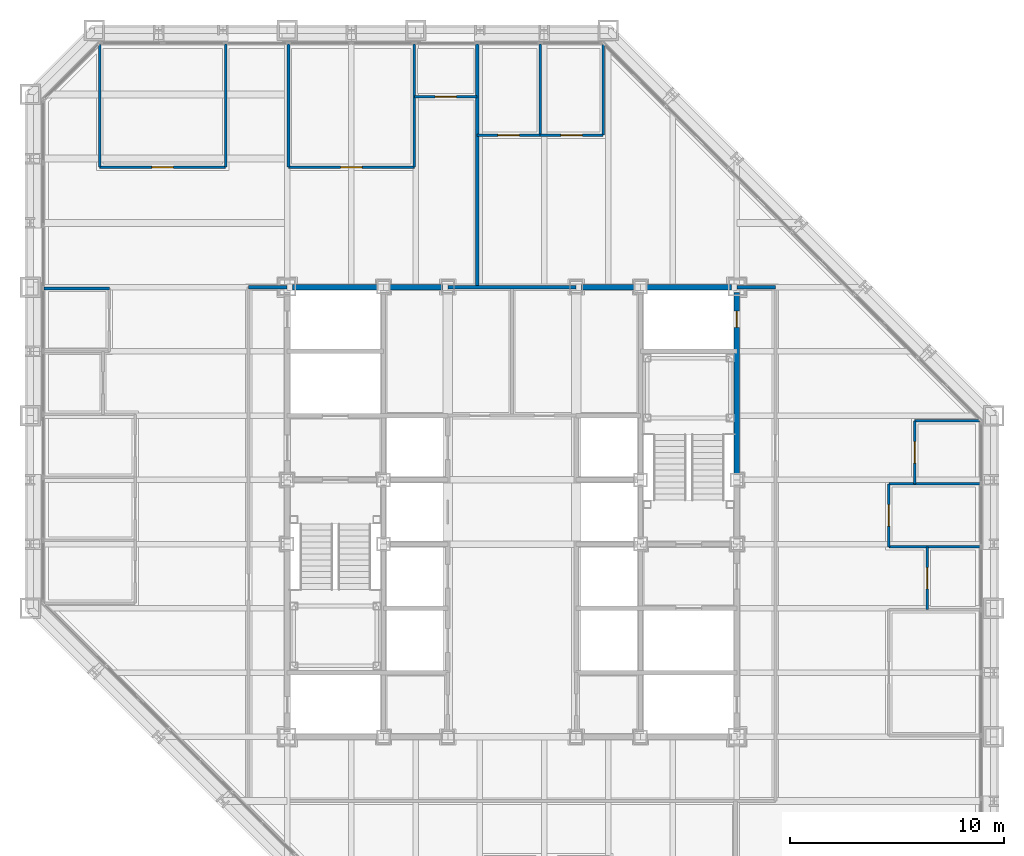
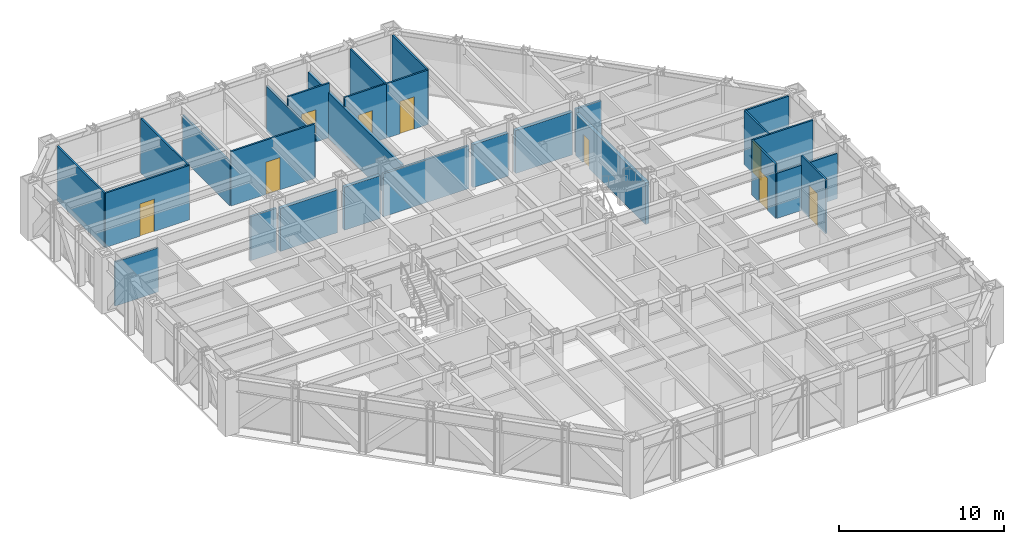
# One storey, part 12 of 16: 27 walls, 9 doors, 9 openings.
"""IFC4 building model written with IfcOpenShell, lengths in metres."""

import ifcopenshell
import ifcopenshell.guid

model = None  # the IFC model being written
_history = None  # IfcOwnerHistory: only IFC2X3 demands one
_inside = {}  # id of a spatial element -> (the spatial element, [elements in it])
_under = {}  # id of a project, library or spatial element -> (it, [spatial elements below it])
_declared = {}  # id of a project -> (the project, [libraries it declares])
_typed = {}  # id of a type object -> (the type object, [elements of that type])
_made_of = {}  # id of a material, layer set ... -> (it, [elements and type objects made of it])


def new_model(schema):
    """Start an empty IFC model of exactly this schema.

    Asked for "IFC4X3", IfcOpenShell would pick the latest addendum, in which some entities
    have other attributes; the version numbers below select the first issue.
    IFC2X3 requires an IfcOwnerHistory on every rooted entity: one is made here for all.
    """
    global model, _history
    if schema == "IFC4X3":
        model = ifcopenshell.file(schema_version=(4, 3, 0, 0))
    else:
        model = ifcopenshell.file(schema=schema)
    _inside.clear()
    _under.clear()
    _declared.clear()
    _typed.clear()
    _made_of.clear()
    _history = None
    if model.schema == "IFC2X3":
        org = make("IfcOrganization", Name="unknown")
        user = make(
            "IfcPersonAndOrganization",
            ThePerson=make("IfcPerson", FamilyName="unknown"),
            TheOrganization=org,
        )
        app = make(
            "IfcApplication",
            ApplicationDeveloper=org,
            Version="unknown",
            ApplicationFullName="unknown",
            ApplicationIdentifier="unknown",
        )
        _history = make(
            "IfcOwnerHistory",
            OwningUser=user,
            OwningApplication=app,
            ChangeAction="ADDED",
            CreationDate=0,
        )
    return model


def make(cls, **values):
    """One entity of the class cls with the attributes given. An attribute that is None is left unset."""
    return model.create_entity(
        cls, **{name: value for name, value in values.items() if value is not None}
    )


def rooted(cls, **values):
    """An entity with a GlobalId (a new one), such as an element, a storey or a relation."""
    return make(cls, GlobalId=ifcopenshell.guid.new(), OwnerHistory=_history, **values)


def si_unit(unit_type, name, prefix=None):
    """IfcSIUnit, for example si_unit("LENGTHUNIT", "METRE", prefix="MILLI")."""
    return make("IfcSIUnit", UnitType=unit_type, Prefix=prefix, Name=name)


def assignment(units):
    """IfcUnitAssignment: the units of a project."""
    return None if units is None else make("IfcUnitAssignment", Units=units)


def point(xyz):
    """IfcCartesianPoint."""
    return None if xyz is None else make("IfcCartesianPoint", Coordinates=xyz)


def direction(xyz):
    """IfcDirection."""
    return None if xyz is None else make("IfcDirection", DirectionRatios=xyz)


def frame(location, z_axis=None, x_axis=None):
    """IfcAxis2Placement3D, a coordinate frame: its origin and axes. An axis left out is left unset."""
    return make(
        "IfcAxis2Placement3D",
        Location=point(location),
        Axis=direction(z_axis),
        RefDirection=direction(x_axis),
    )


def frame_2d(location, x_axis=None):
    """IfcAxis2Placement2D, a coordinate frame in the plane: its origin and x axis."""
    return make(
        "IfcAxis2Placement2D", Location=point(location), RefDirection=direction(x_axis)
    )


def origin():
    """The frame at (0, 0, 0) with its axes left unset."""
    return frame((0.0, 0.0, 0.0))


def place(relative_to, where):
    """IfcLocalPlacement: puts the frame where relative to a parent placement (None: the world)."""
    return make(
        "IfcLocalPlacement", PlacementRelTo=relative_to, RelativePlacement=where
    )


def context(
    kind, dimensions, precision=None, world=None, true_north=None, identifier=None
):
    """IfcGeometricRepresentationContext, for example the 3D "Model" context."""
    return make(
        "IfcGeometricRepresentationContext",
        ContextIdentifier=identifier,
        ContextType=kind,
        CoordinateSpaceDimension=dimensions,
        Precision=precision,
        WorldCoordinateSystem=world,
        TrueNorth=true_north,
    )


def subcontext(parent, identifier, kind, view, scale=None):
    """IfcGeometricRepresentationSubContext, for example "Body" below "Model"."""
    return make(
        "IfcGeometricRepresentationSubContext",
        ContextIdentifier=identifier,
        ContextType=kind,
        ParentContext=parent,
        TargetScale=scale,
        TargetView=view,
    )


def project(units=None, contexts=None):
    """IfcProject with its units and contexts."""
    return rooted(
        "IfcProject",
        Name="project",
        RepresentationContexts=contexts,
        UnitsInContext=assignment(units),
    )


def spatial(cls, under=None, at=None, **own):
    """A site, building, storey or space (cls), placed at a placement, below another one or the project."""
    s = rooted(cls, ObjectPlacement=at, **own)
    if under is not None:
        _under.setdefault(under.id(), (under, []))[1].append(s)
    return s


def profile(cls, at=None, kind="AREA", **sizes):
    """A parametric profile (cls). Its sizes go by their IFC names, for example OverallWidth=200.0."""
    return make(cls, ProfileType=kind, Position=at, **sizes)


def rectangle(**sizes):
    """IfcRectangleProfileDef."""
    return profile("IfcRectangleProfileDef", **sizes)


def extrude(swept, where, along, depth):
    """IfcExtrudedAreaSolid: the profile swept, set in the frame where, extruded along a direction by depth."""
    return make(
        "IfcExtrudedAreaSolid",
        SweptArea=swept,
        Position=where,
        ExtrudedDirection=direction(along),
        Depth=depth,
    )


def shape(context_of_items, identifier, shape_type, items):
    """IfcShapeRepresentation: the items that make up one representation, for example the "Body"."""
    return make(
        "IfcShapeRepresentation",
        ContextOfItems=context_of_items,
        RepresentationIdentifier=identifier,
        RepresentationType=shape_type,
        Items=items,
    )


def material(Name=None, Category=None):
    """IfcMaterial."""
    return make("IfcMaterial", Name=Name, Category=Category)


def layer(
    of_material, thickness, ventilated=None, Name=None, Category=None, Priority=None
):
    """IfcMaterialLayer: one layer of a wall or slab, of a material (None: an air gap)."""
    return make(
        "IfcMaterialLayer",
        Material=of_material,
        LayerThickness=thickness,
        IsVentilated=ventilated,
        Name=Name,
        Category=Category,
        Priority=Priority,
    )


def layer_set(layers, Name=None):
    """IfcMaterialLayerSet."""
    return make("IfcMaterialLayerSet", MaterialLayers=layers, LayerSetName=Name)


def made_of(thing, what):
    """Note that an element or type object is made of a material, layer set ...; save() writes the relation."""
    if what is not None:
        _made_of.setdefault(what.id(), (what, []))[1].append(thing)
    return thing


def type_object(cls, material=None, **own):
    """A type object (cls), such as IfcWallType, which elements share."""
    return made_of(rooted(cls, **own), material)


def element(
    cls,
    number,
    at=None,
    inside=None,
    cuts=None,
    type_object=None,
    material=None,
    context=None,
    identifier="Body",
    shape_type=None,
    held_by="IfcProductDefinitionShape",
    body=None,
    shapes=None,
    **own,
):
    """One element of the class cls, such as IfcWall. Its Tag is "e" and its number.

    at: its placement. inside: the storey or other place that contains it. cuts: it is an
    opening in that element (IfcRelVoidsElement). A single representation is given by context,
    identifier, shape_type and body (its items); several are given by shapes. held_by: the class
    of the entity that holds the representations. save() writes the other relations.
    """
    e = rooted(cls, Tag="e%d" % number, ObjectPlacement=at, **own)
    if body is not None:
        shapes = [shape(context, identifier, shape_type, body)]
    if shapes is not None:
        e.Representation = make(held_by, Representations=shapes)
    if inside is not None:
        _inside.setdefault(inside.id(), (inside, []))[1].append(e)
    if cuts is not None:
        rooted(
            "IfcRelVoidsElement", RelatingBuildingElement=cuts, RelatedOpeningElement=e
        )
    if type_object is not None:
        _typed.setdefault(type_object.id(), (type_object, []))[1].append(e)
    return made_of(e, material)


def fill(opening, filler):
    """IfcRelFillsElement: the door or window that sits in an opening."""
    return rooted(
        "IfcRelFillsElement",
        RelatingOpeningElement=opening,
        RelatedBuildingElement=filler,
    )


def aggregate(whole, parts):
    """IfcRelAggregates: a whole, such as a stair, and the parts it consists of."""
    return rooted("IfcRelAggregates", RelatingObject=whole, RelatedObjects=parts)


def save(model, path):
    """Write the relations noted so far, then the file.

    IfcRelAggregates (storeys below a building ...), IfcRelContainedInSpatialStructure (elements
    in a storey), IfcRelDefinesByType, IfcRelAssociatesMaterial and IfcRelDeclares: one each for
    every whole, place, type object, material and project.
    """
    for whole, parts in _under.values():
        aggregate(whole, parts)
    for where, things in _inside.values():
        rooted(
            "IfcRelContainedInSpatialStructure",
            RelatedElements=things,
            RelatingStructure=where,
        )
    for kind, things in _typed.values():
        rooted("IfcRelDefinesByType", RelatedObjects=things, RelatingType=kind)
    for what, things in _made_of.values():
        rooted("IfcRelAssociatesMaterial", RelatedObjects=things, RelatingMaterial=what)
    for by, libraries in _declared.values():
        rooted("IfcRelDeclares", RelatingContext=by, RelatedDefinitions=libraries)
    model.write(path)


model = new_model("IFC4")

# Units and contexts
model_context = context("Model", 3, precision=1e-05, world=origin(), true_north=direction((0.0, 1.0)))
body_context = subcontext(model_context, "Body", "Model", "MODEL_VIEW")
ifc_project = project(units=[si_unit("LENGTHUNIT", "METRE"), si_unit("AREAUNIT", "SQUARE_METRE"), si_unit("VOLUMEUNIT", "CUBIC_METRE"), si_unit("PLANEANGLEUNIT", "RADIAN"), si_unit("MASSUNIT", "GRAM", prefix="KILO")], contexts=[model_context])

# Site, building, storey
site_placement = place(None, origin())
site = spatial("IfcSite", under=ifc_project, at=site_placement, CompositionType="ELEMENT")
building_placement = place(site_placement, origin())
building = spatial("IfcBuilding", under=site, at=building_placement, Name="Chuquiago Exchange Tower", CompositionType="ELEMENT")
storey_placement = place(building_placement, frame((0.0, 0.0, 157.199951171875)))
storey = spatial("IfcBuildingStorey", under=building, at=storey_placement, Name="L34", CompositionType="ELEMENT", Elevation=157.199951171875)

# Walls
ifc_material_1 = material(Name="Concrete masonry, fully grouted", Category="masonry")
ifc_layer_1 = layer(ifc_material_1, 0.25)
ifc_layer_set_1 = layer_set([ifc_layer_1], Name="W1 core wall 250")
wall_type_1 = type_object("IfcWallType", Name="W1 core wall 250", PredefinedType="SOLIDWALL", material=ifc_layer_set_1)
wall_1_placement = place(storey_placement, frame((12.25, 33.0, 0.0), z_axis=(0.0, 0.0, 1.0), x_axis=(1.0, 0.0, 0.0)))
element("IfcWall", 1, at=wall_1_placement, inside=storey, type_object=wall_type_1, Name="CW-L34-11-0", PredefinedType="SOLIDWALL", context=body_context, shape_type="SweptSolid", body=[
    extrude(rectangle(XDim=4.0, YDim=0.25, at=frame_2d((2.0, 0.0))), origin(), (0.0, 0.0, 1.0), 3.181640625),
])
for number, where, z_axis, x_axis, name in (
    (2, (16.75, 33.0, 0.0), (0.0, 0.0, 1.0), (1.0, 0.0, 0.0), "CW-L34-11-1"),
    (3, (25.75, 33.0, 0.0), (0.0, 0.0, 1.0), (1.0, 0.0, 0.0), "CW-L34-12-0"),
):
    element("IfcWall", number, at=place(storey_placement, frame(where, z_axis=z_axis, x_axis=x_axis)), inside=storey, type_object=wall_type_1, Name=name, PredefinedType="SOLIDWALL", context=body_context, shape_type="SweptSolid", body=[
        extrude(rectangle(XDim=2.5, YDim=0.25, at=frame_2d((1.25, 0.0))), origin(), (0.0, 0.0, 1.0), 3.181640625),
    ])
wall_2_placement = place(storey_placement, frame((28.75, 33.0, 0.0), z_axis=(0.0, 0.0, 1.0), x_axis=(1.0, 0.0, 0.0)))
element("IfcWall", 4, at=wall_2_placement, inside=storey, type_object=wall_type_1, Name="CW-L34-12-1", PredefinedType="SOLIDWALL", context=body_context, shape_type="SweptSolid", body=[
    extrude(rectangle(XDim=4.0, YDim=0.25, at=frame_2d((2.0, 0.0))), origin(), (0.0, 0.0, 1.0), 3.181640625),
])

# Wall, opening, door
wall_3_placement = place(storey_placement, frame((33.0, 24.25, 0.0), z_axis=(0.0, 0.0, 1.0), x_axis=(0.0, 1.0, 0.0)))
wall_3 = element("IfcWall", 5, at=wall_3_placement, inside=storey, type_object=wall_type_1, Name="CW-L34-25-2", PredefinedType="SOLIDWALL", context=body_context, shape_type="SweptSolid", body=[
    extrude(rectangle(XDim=8.5, YDim=0.25, at=frame_2d((4.25, 0.0))), origin(), (0.0, 0.0, 1.0), 3.113037109375),
])
opening_1_placement = place(wall_3_placement, frame((6.875, 0.0, 0.0)))
opening_1 = element("IfcOpeningElement", 6, at=opening_1_placement, cuts=wall_3, Name="Opening L34-010", PredefinedType="OPENING", context=body_context, shape_type="SweptSolid", body=[
    extrude(rectangle(XDim=0.75, YDim=2.10009765625, at=frame_2d((0.375, 1.050048828125))), frame((0.0, 0.135009765625, 0.0), z_axis=(0.0, -1.0, 0.0), x_axis=(1.0, 0.0, 0.0)), (0.0, 0.0, 1.0), 0.27001953125),
])
ifc_material_2 = material(Name="Steel door, painted", Category="steel")
door_type_1 = type_object("IfcDoorType", Name="D6 riser access door 750x2100", OperationType="SINGLE_SWING_LEFT", PredefinedType="DOOR", material=ifc_material_2)
door_1_placement = place(opening_1_placement, origin())
door_1 = element("IfcDoor", 7, at=door_1_placement, inside=storey, type_object=door_type_1, Name="Riser RE2 door", OperationType="SINGLE_SWING_RIGHT", OverallHeight=2.10009765625, OverallWidth=0.75, PredefinedType="DOOR", context=body_context, shape_type="SweptSolid", body=[
    extrude(rectangle(XDim=0.75, YDim=2.10009765625, at=frame_2d((0.375, 1.050048828125))), frame((0.0, 0.02490234375, 0.0), z_axis=(0.0, -1.0, 0.0), x_axis=(1.0, 0.0, 0.0)), (0.0, 0.0, 1.0), 0.050048828125),
])
fill(opening_1, door_1)

# Walls
ifc_material_3 = material(Name="Gypsum board on steel studs, acoustic insulation", Category="steel")
ifc_layer_2 = layer(ifc_material_3, 0.14990234375)
ifc_layer_set_2 = layer_set([ifc_layer_2], Name="W11 corridor wall 150")
wall_type_2 = type_object("IfcWallType", Name="W11 corridor wall 150", PredefinedType="PARTITIONING", material=ifc_layer_set_2)
for number, where, z_axis, x_axis, name in (
    (8, (10.199951171875, 33.0, 0.0), (0.0, 0.0, 1.0), (1.0, 0.0, 0.0), "PW-L34-CWN"),
    (9, (33.0, 33.0, 0.0), (0.0, 0.0, 1.0), (1.0, 0.0, 0.0), "PW-L34-CEN"),
):
    element("IfcWall", number, at=place(storey_placement, frame(where, z_axis=z_axis, x_axis=x_axis)), inside=storey, type_object=wall_type_2, Name=name, PredefinedType="PARTITIONING", context=body_context, shape_type="SweptSolid", body=[
        extrude(rectangle(XDim=1.800048828125, YDim=0.14990234375, at=frame_2d((0.89990234375, 0.0))), origin(), (0.0, 0.0, 1.0), 3.2705078125),
    ])
ifc_material_4 = material(Name="Gypsum board on twin steel studs, acoustic insulation", Category="steel")
ifc_layer_3 = layer(ifc_material_4, 0.175048828125)
ifc_layer_set_3 = layer_set([ifc_layer_3], Name="W12 tenant demising wall 175")
wall_type_3 = type_object("IfcWallType", Name="W12 tenant demising wall 175", PredefinedType="PARTITIONING", material=ifc_layer_set_3)
wall_4_placement = place(storey_placement, frame((20.875732421875, 44.347412109375, 0.0), z_axis=(0.0, 0.0, 1.0), x_axis=(0.0, -1.0, 0.0)))
element("IfcWall", 10, at=wall_4_placement, inside=storey, type_object=wall_type_3, Name="PW-L34-DN02088", PredefinedType="PARTITIONING", context=body_context, shape_type="SweptSolid", body=[
    extrude(rectangle(XDim=11.347412109375, YDim=0.175048828125, at=frame_2d((5.673828125, 0.0))), origin(), (0.0, 0.0, 1.0), 3.35693359375),
])
ifc_material_5 = material(Name="Gypsum board on steel studs", Category="steel")
ifc_layer_4 = layer(ifc_material_5, 0.14990234375)
ifc_layer_set_4 = layer_set([ifc_layer_4], Name="W3 core partition 150")
wall_type_4 = type_object("IfcWallType", Name="W3 core partition 150", PredefinedType="PARTITIONING", material=ifc_layer_set_4)
wall_5_placement = place(storey_placement, frame((19.5, 33.0, 0.0), z_axis=(0.0, 0.0, 1.0), x_axis=(1.0, 0.0, 0.0)))
element("IfcWall", 11, at=wall_5_placement, inside=storey, type_object=wall_type_4, Name="CW-L34-TB", PredefinedType="PARTITIONING", context=body_context, shape_type="SweptSolid", body=[
    extrude(rectangle(XDim=6.0, YDim=0.14990234375, at=frame_2d((3.0, 0.0))), origin(), (0.0, 0.0, 1.0), 3.181640625),
])
ifc_material_6 = material(Name="Gypsum board on steel studs", Category="steel")
ifc_layer_5 = layer(ifc_material_6, 0.1201171875)
ifc_layer_set_5 = layer_set([ifc_layer_5], Name="W4 partition 120")
wall_type_5 = type_object("IfcWallType", Name="W4 partition 120", PredefinedType="PARTITIONING", material=ifc_layer_set_5)
wall_6_placement = place(storey_placement, frame((44.347412109375, 20.875732421875, 0.0), z_axis=(0.0, 0.0, 1.0), x_axis=(-1.0, 0.0, 0.0)))
element("IfcWall", 12, at=wall_6_placement, inside=storey, type_object=wall_type_5, Name="PW-L34-E02088", PredefinedType="PARTITIONING", context=body_context, shape_type="SweptSolid", body=[
    extrude(rectangle(XDim=4.247314453125, YDim=0.1201171875, at=frame_2d((2.12353515625, 0.0))), origin(), (0.0, 0.0, 1.0), 3.35693359375),
])
wall_7_placement = place(storey_placement, frame((44.347412109375, 23.813720703125, 0.0), z_axis=(0.0, 0.0, 1.0), x_axis=(-1.0, 0.0, 0.0)))
element("IfcWall", 13, at=wall_7_placement, inside=storey, type_object=wall_type_5, Name="PW-L34-E02381", PredefinedType="PARTITIONING", context=body_context, shape_type="SweptSolid", body=[
    extrude(rectangle(XDim=4.247314453125, YDim=0.1201171875, at=frame_2d((2.12353515625, 0.0))), origin(), (0.0, 0.0, 1.0), 4.0400390625),
])
wall_8_placement = place(storey_placement, frame((44.333984375, 26.75146484375, 0.0), z_axis=(0.0, 0.0, 1.0), x_axis=(-1.0, 0.0, 0.0)))
element("IfcWall", 14, at=wall_8_placement, inside=storey, type_object=wall_type_5, Name="PW-L34-E02675", PredefinedType="PARTITIONING", context=body_context, shape_type="SweptSolid", body=[
    extrude(rectangle(XDim=3.033935546875, YDim=0.1201171875, at=frame_2d((1.51708984375, 0.0))), origin(), (0.0, 0.0, 1.0), 4.0400390625),
])

# Wall, opening, door
wall_9_placement = place(storey_placement, frame((41.89990234375, 17.93798828125, 0.0), z_axis=(0.0, 0.0, 1.0), x_axis=(0.0, 1.0, 0.0)))
wall_9 = element("IfcWall", 15, at=wall_9_placement, inside=storey, type_object=wall_type_5, Name="PW-L34-EF01794", PredefinedType="PARTITIONING", context=body_context, shape_type="SweptSolid", body=[
    extrude(rectangle(XDim=2.937744140625, YDim=0.1201171875, at=frame_2d((1.46875, 0.0))), origin(), (0.0, 0.0, 1.0), 4.0400390625),
])
opening_2_placement = place(wall_9_placement, frame((0.968994140625, 0.0, 0.0)))
opening_2 = element("IfcOpeningElement", 16, at=opening_2_placement, cuts=wall_9, Name="Opening L34-027", PredefinedType="OPENING", context=body_context, shape_type="SweptSolid", body=[
    extrude(rectangle(XDim=1.0, YDim=2.39990234375, at=frame_2d((0.5, 1.199951171875))), frame((0.0, 0.070068359375, 0.0), z_axis=(0.0, -1.0, 0.0), x_axis=(1.0, 0.0, 0.0)), (0.0, 0.0, 1.0), 0.14013671875),
])
ifc_material_7 = material(Name="Timber frame door, full height glazed panel", Category="wood")
door_type_2 = type_object("IfcDoorType", Name="D14 glazed meeting room door 1000x2400", OperationType="SINGLE_SWING_LEFT", PredefinedType="DOOR", material=ifc_material_7)
door_2_placement = place(opening_2_placement, frame((1.0, 0.0, 0.0), z_axis=(0.0, 0.0, 1.0), x_axis=(-1.0, 0.0, 0.0)))
door_2 = element("IfcDoor", 17, at=door_2_placement, inside=storey, type_object=door_type_2, Name="Focus room door", OperationType="SINGLE_SWING_LEFT", OverallHeight=2.39990234375, OverallWidth=1.0, PredefinedType="DOOR", context=body_context, shape_type="SweptSolid", body=[
    extrude(rectangle(XDim=1.0, YDim=2.39990234375, at=frame_2d((0.5, 1.199951171875))), frame((0.0, 0.02490234375, 0.0), z_axis=(0.0, -1.0, 0.0), x_axis=(1.0, 0.0, 0.0)), (0.0, 0.0, 1.0), 0.050048828125),
])
fill(opening_2, door_2)

wall_10_placement = place(storey_placement, frame((40.10009765625, 20.875732421875, 0.0), z_axis=(0.0, 0.0, 1.0), x_axis=(0.0, 1.0, 0.0)))
wall_10 = element("IfcWall", 18, at=wall_10_placement, inside=storey, type_object=wall_type_5, Name="PW-L34-EF02088", PredefinedType="PARTITIONING", context=body_context, shape_type="SweptSolid", body=[
    extrude(rectangle(XDim=2.93798828125, YDim=0.1201171875, at=frame_2d((1.468994140625, 0.0))), origin(), (0.0, 0.0, 1.0), 4.0400390625),
])
opening_3_placement = place(wall_10_placement, frame((0.968994140625, 0.0, 0.0)))
opening_3 = element("IfcOpeningElement", 19, at=opening_3_placement, cuts=wall_10, Name="Opening L34-028", PredefinedType="OPENING", context=body_context, shape_type="SweptSolid", body=[
    extrude(rectangle(XDim=1.0, YDim=2.39990234375, at=frame_2d((0.5, 1.199951171875))), frame((0.0, 0.070068359375, 0.0), z_axis=(0.0, -1.0, 0.0), x_axis=(1.0, 0.0, 0.0)), (0.0, 0.0, 1.0), 0.14013671875),
])
ifc_material_8 = material(Name="Timber door, laminate faced", Category="wood")
door_type_3 = type_object("IfcDoorType", Name="D9 room door 1000x2400", OperationType="SINGLE_SWING_LEFT", PredefinedType="DOOR", material=ifc_material_8)
door_3_placement = place(opening_3_placement, frame((1.0, 0.0, 0.0), z_axis=(0.0, 0.0, 1.0), x_axis=(-1.0, 0.0, 0.0)))
door_3 = element("IfcDoor", 20, at=door_3_placement, inside=storey, type_object=door_type_3, Name="Office door", OperationType="SINGLE_SWING_LEFT", OverallHeight=2.39990234375, OverallWidth=1.0, PredefinedType="DOOR", context=body_context, shape_type="SweptSolid", body=[
    extrude(rectangle(XDim=1.0, YDim=2.39990234375, at=frame_2d((0.5, 1.199951171875))), frame((0.0, 0.02490234375, 0.0), z_axis=(0.0, -1.0, 0.0), x_axis=(1.0, 0.0, 0.0)), (0.0, 0.0, 1.0), 0.050048828125),
])
fill(opening_3, door_3)

wall_11_placement = place(storey_placement, frame((41.300048828125, 23.813720703125, 0.0), z_axis=(0.0, 0.0, 1.0), x_axis=(0.0, 1.0, 0.0)))
wall_11 = element("IfcWall", 21, at=wall_11_placement, inside=storey, type_object=wall_type_5, Name="PW-L34-EF02381", PredefinedType="PARTITIONING", context=body_context, shape_type="SweptSolid", body=[
    extrude(rectangle(XDim=2.937744140625, YDim=0.1201171875, at=frame_2d((1.46875, 0.0))), origin(), (0.0, 0.0, 1.0), 4.0400390625),
])
opening_4_placement = place(wall_11_placement, frame((0.968994140625, 0.0, 0.0)))
opening_4 = element("IfcOpeningElement", 22, at=opening_4_placement, cuts=wall_11, Name="Opening L34-029", PredefinedType="OPENING", context=body_context, shape_type="SweptSolid", body=[
    extrude(rectangle(XDim=1.0, YDim=2.39990234375, at=frame_2d((0.5, 1.199951171875))), frame((0.0, 0.070068359375, 0.0), z_axis=(0.0, -1.0, 0.0), x_axis=(1.0, 0.0, 0.0)), (0.0, 0.0, 1.0), 0.14013671875),
])
door_4_placement = place(opening_4_placement, frame((1.0, 0.0, 0.0), z_axis=(0.0, 0.0, 1.0), x_axis=(-1.0, 0.0, 0.0)))
door_4 = element("IfcDoor", 23, at=door_4_placement, inside=storey, type_object=door_type_3, Name="Pantry door", OperationType="SINGLE_SWING_RIGHT", OverallHeight=2.39990234375, OverallWidth=1.0, PredefinedType="DOOR", context=body_context, shape_type="SweptSolid", body=[
    extrude(rectangle(XDim=1.0, YDim=2.39990234375, at=frame_2d((0.5, 1.199951171875))), frame((0.0, 0.02490234375, 0.0), z_axis=(0.0, -1.0, 0.0), x_axis=(1.0, 0.0, 0.0)), (0.0, 0.0, 1.0), 0.050048828125),
])
fill(opening_4, door_4)

# Walls
wall_12_placement = place(storey_placement, frame((3.24853515625, 44.333984375, 0.0), z_axis=(0.0, 0.0, 1.0), x_axis=(0.0, -1.0, 0.0)))
element("IfcWall", 24, at=wall_12_placement, inside=storey, type_object=wall_type_5, Name="PW-L34-N00325", PredefinedType="PARTITIONING", context=body_context, shape_type="SweptSolid", body=[
    extrude(rectangle(XDim=5.73388671875, YDim=0.1201171875, at=frame_2d((2.866943359375, 0.0))), origin(), (0.0, 0.0, 1.0), 4.0400390625),
])
wall_13_placement = place(storey_placement, frame((9.124267578125, 44.347412109375, 0.0), z_axis=(0.0, 0.0, 1.0), x_axis=(0.0, -1.0, 0.0)))
element("IfcWall", 25, at=wall_13_placement, inside=storey, type_object=wall_type_5, Name="PW-L34-N00912", PredefinedType="PARTITIONING", context=body_context, shape_type="SweptSolid", body=[
    extrude(rectangle(XDim=5.747314453125, YDim=0.1201171875, at=frame_2d((2.87353515625, 0.0))), origin(), (0.0, 0.0, 1.0), 4.0400390625),
])
wall_14_placement = place(storey_placement, frame((12.06201171875, 44.347412109375, 0.0), z_axis=(0.0, 0.0, 1.0), x_axis=(0.0, -1.0, 0.0)))
element("IfcWall", 26, at=wall_14_placement, inside=storey, type_object=wall_type_5, Name="PW-L34-N01206", PredefinedType="PARTITIONING", context=body_context, shape_type="SweptSolid", body=[
    extrude(rectangle(XDim=5.747314453125, YDim=0.1201171875, at=frame_2d((2.87353515625, 0.0))), origin(), (0.0, 0.0, 1.0), 3.2705078125),
])
wall_15_placement = place(storey_placement, frame((17.93798828125, 44.347412109375, 0.0), z_axis=(0.0, 0.0, 1.0), x_axis=(0.0, -1.0, 0.0)))
element("IfcWall", 27, at=wall_15_placement, inside=storey, type_object=wall_type_5, Name="PW-L34-N01794", PredefinedType="PARTITIONING", context=body_context, shape_type="SweptSolid", body=[
    extrude(rectangle(XDim=5.747314453125, YDim=0.1201171875, at=frame_2d((2.87353515625, 0.0))), origin(), (0.0, 0.0, 1.0), 3.35693359375),
])
wall_16_placement = place(storey_placement, frame((23.813720703125, 44.347412109375, 0.0), z_axis=(0.0, 0.0, 1.0), x_axis=(0.0, -1.0, 0.0)))
element("IfcWall", 28, at=wall_16_placement, inside=storey, type_object=wall_type_5, Name="PW-L34-N02381", PredefinedType="PARTITIONING", context=body_context, shape_type="SweptSolid", body=[
    extrude(rectangle(XDim=4.247314453125, YDim=0.1201171875, at=frame_2d((2.12353515625, 0.0))), origin(), (0.0, 0.0, 1.0), 4.0400390625),
])
wall_17_placement = place(storey_placement, frame((26.75146484375, 44.333984375, 0.0), z_axis=(0.0, 0.0, 1.0), x_axis=(0.0, -1.0, 0.0)))
element("IfcWall", 29, at=wall_17_placement, inside=storey, type_object=wall_type_5, Name="PW-L34-N02675", PredefinedType="PARTITIONING", context=body_context, shape_type="SweptSolid", body=[
    extrude(rectangle(XDim=4.23388671875, YDim=0.1201171875, at=frame_2d((2.116943359375, 0.0))), origin(), (0.0, 0.0, 1.0), 4.0400390625),
])

# Wall, opening, door
wall_18_placement = place(storey_placement, frame((3.24853515625, 38.60009765625, 0.0), z_axis=(0.0, 0.0, 1.0), x_axis=(1.0, 0.0, 0.0)))
wall_18 = element("IfcWall", 30, at=wall_18_placement, inside=storey, type_object=wall_type_5, Name="PW-L34-NF00325", PredefinedType="PARTITIONING", context=body_context, shape_type="SweptSolid", body=[
    extrude(rectangle(XDim=5.875732421875, YDim=0.1201171875, at=frame_2d((2.93798828125, 0.0))), origin(), (0.0, 0.0, 1.0), 4.0400390625),
])
opening_5_placement = place(wall_18_placement, frame((2.43798828125, 0.0, 0.0)))
opening_5 = element("IfcOpeningElement", 31, at=opening_5_placement, cuts=wall_18, Name="Opening L34-030", PredefinedType="OPENING", context=body_context, shape_type="SweptSolid", body=[
    extrude(rectangle(XDim=1.0, YDim=2.39990234375, at=frame_2d((0.5, 1.199951171875))), frame((0.0, 0.070068359375, 0.0), z_axis=(0.0, -1.0, 0.0), x_axis=(1.0, 0.0, 0.0)), (0.0, 0.0, 1.0), 0.14013671875),
])
door_5_placement = place(opening_5_placement, origin())
door_5 = element("IfcDoor", 32, at=door_5_placement, inside=storey, type_object=door_type_3, Name="Research office door", OperationType="SINGLE_SWING_LEFT", OverallHeight=2.39990234375, OverallWidth=1.0, PredefinedType="DOOR", context=body_context, shape_type="SweptSolid", body=[
    extrude(rectangle(XDim=1.0, YDim=2.39990234375, at=frame_2d((0.5, 1.199951171875))), frame((0.0, 0.02490234375, 0.0), z_axis=(0.0, -1.0, 0.0), x_axis=(1.0, 0.0, 0.0)), (0.0, 0.0, 1.0), 0.050048828125),
])
fill(opening_5, door_5)

wall_19_placement = place(storey_placement, frame((12.06201171875, 38.60009765625, 0.0), z_axis=(0.0, 0.0, 1.0), x_axis=(1.0, 0.0, 0.0)))
wall_19 = element("IfcWall", 33, at=wall_19_placement, inside=storey, type_object=wall_type_5, Name="PW-L34-NF01206", PredefinedType="PARTITIONING", context=body_context, shape_type="SweptSolid", body=[
    extrude(rectangle(XDim=5.8759765625, YDim=0.1201171875, at=frame_2d((2.93798828125, 0.0))), origin(), (0.0, 0.0, 1.0), 4.0400390625),
])
opening_6_placement = place(wall_19_placement, frame((2.43798828125, 0.0, 0.0)))
opening_6 = element("IfcOpeningElement", 34, at=opening_6_placement, cuts=wall_19, Name="Opening L34-031", PredefinedType="OPENING", context=body_context, shape_type="SweptSolid", body=[
    extrude(rectangle(XDim=1.0, YDim=2.39990234375, at=frame_2d((0.5, 1.199951171875))), frame((0.0, 0.070068359375, 0.0), z_axis=(0.0, -1.0, 0.0), x_axis=(1.0, 0.0, 0.0)), (0.0, 0.0, 1.0), 0.14013671875),
])
door_6_placement = place(opening_6_placement, origin())
door_6 = element("IfcDoor", 35, at=door_6_placement, inside=storey, type_object=door_type_3, Name="Research office door", OperationType="SINGLE_SWING_LEFT", OverallHeight=2.39990234375, OverallWidth=1.0, PredefinedType="DOOR", context=body_context, shape_type="SweptSolid", body=[
    extrude(rectangle(XDim=1.0, YDim=2.39990234375, at=frame_2d((0.5, 1.199951171875))), frame((0.0, 0.02490234375, 0.0), z_axis=(0.0, -1.0, 0.0), x_axis=(1.0, 0.0, 0.0)), (0.0, 0.0, 1.0), 0.050048828125),
])
fill(opening_6, door_6)

wall_20_placement = place(storey_placement, frame((17.93798828125, 41.89990234375, 0.0), z_axis=(0.0, 0.0, 1.0), x_axis=(1.0, 0.0, 0.0)))
wall_20 = element("IfcWall", 36, at=wall_20_placement, inside=storey, type_object=wall_type_5, Name="PW-L34-NF01794", PredefinedType="PARTITIONING", context=body_context, shape_type="SweptSolid", body=[
    extrude(rectangle(XDim=2.937744140625, YDim=0.1201171875, at=frame_2d((1.46875, 0.0))), origin(), (0.0, 0.0, 1.0), 4.0400390625),
])
opening_7_placement = place(wall_20_placement, frame((0.968994140625, 0.0, 0.0)))
opening_7 = element("IfcOpeningElement", 37, at=opening_7_placement, cuts=wall_20, Name="Opening L34-032", PredefinedType="OPENING", context=body_context, shape_type="SweptSolid", body=[
    extrude(rectangle(XDim=1.0, YDim=2.39990234375, at=frame_2d((0.5, 1.199951171875))), frame((0.0, 0.070068359375, 0.0), z_axis=(0.0, -1.0, 0.0), x_axis=(1.0, 0.0, 0.0)), (0.0, 0.0, 1.0), 0.14013671875),
])
door_7_placement = place(opening_7_placement, origin())
door_7 = element("IfcDoor", 38, at=door_7_placement, inside=storey, type_object=door_type_2, Name="Focus room door", OperationType="SINGLE_SWING_RIGHT", OverallHeight=2.39990234375, OverallWidth=1.0, PredefinedType="DOOR", context=body_context, shape_type="SweptSolid", body=[
    extrude(rectangle(XDim=1.0, YDim=2.39990234375, at=frame_2d((0.5, 1.199951171875))), frame((0.0, 0.02490234375, 0.0), z_axis=(0.0, -1.0, 0.0), x_axis=(1.0, 0.0, 0.0)), (0.0, 0.0, 1.0), 0.050048828125),
])
fill(opening_7, door_7)

wall_21_placement = place(storey_placement, frame((20.875732421875, 40.10009765625, 0.0), z_axis=(0.0, 0.0, 1.0), x_axis=(1.0, 0.0, 0.0)))
wall_21 = element("IfcWall", 39, at=wall_21_placement, inside=storey, type_object=wall_type_5, Name="PW-L34-NF02088", PredefinedType="PARTITIONING", context=body_context, shape_type="SweptSolid", body=[
    extrude(rectangle(XDim=2.93798828125, YDim=0.1201171875, at=frame_2d((1.468994140625, 0.0))), origin(), (0.0, 0.0, 1.0), 4.0400390625),
])
opening_8_placement = place(wall_21_placement, frame((0.968994140625, 0.0, 0.0)))
opening_8 = element("IfcOpeningElement", 40, at=opening_8_placement, cuts=wall_21, Name="Opening L34-033", PredefinedType="OPENING", context=body_context, shape_type="SweptSolid", body=[
    extrude(rectangle(XDim=1.0, YDim=2.39990234375, at=frame_2d((0.5, 1.199951171875))), frame((0.0, 0.070068359375, 0.0), z_axis=(0.0, -1.0, 0.0), x_axis=(1.0, 0.0, 0.0)), (0.0, 0.0, 1.0), 0.14013671875),
])
door_8_placement = place(opening_8_placement, origin())
door_8 = element("IfcDoor", 41, at=door_8_placement, inside=storey, type_object=door_type_3, Name="Office door", OperationType="SINGLE_SWING_LEFT", OverallHeight=2.39990234375, OverallWidth=1.0, PredefinedType="DOOR", context=body_context, shape_type="SweptSolid", body=[
    extrude(rectangle(XDim=1.0, YDim=2.39990234375, at=frame_2d((0.5, 1.199951171875))), frame((0.0, 0.02490234375, 0.0), z_axis=(0.0, -1.0, 0.0), x_axis=(1.0, 0.0, 0.0)), (0.0, 0.0, 1.0), 0.050048828125),
])
fill(opening_8, door_8)

wall_22_placement = place(storey_placement, frame((23.813720703125, 40.10009765625, 0.0), z_axis=(0.0, 0.0, 1.0), x_axis=(1.0, 0.0, 0.0)))
wall_22 = element("IfcWall", 42, at=wall_22_placement, inside=storey, type_object=wall_type_5, Name="PW-L34-NF02381", PredefinedType="PARTITIONING", context=body_context, shape_type="SweptSolid", body=[
    extrude(rectangle(XDim=2.937744140625, YDim=0.1201171875, at=frame_2d((1.46875, 0.0))), origin(), (0.0, 0.0, 1.0), 4.0400390625),
])
opening_9_placement = place(wall_22_placement, frame((0.968994140625, 0.0, 0.0)))
opening_9 = element("IfcOpeningElement", 43, at=opening_9_placement, cuts=wall_22, Name="Opening L34-034", PredefinedType="OPENING", context=body_context, shape_type="SweptSolid", body=[
    extrude(rectangle(XDim=1.0, YDim=2.39990234375, at=frame_2d((0.5, 1.199951171875))), frame((0.0, 0.070068359375, 0.0), z_axis=(0.0, -1.0, 0.0), x_axis=(1.0, 0.0, 0.0)), (0.0, 0.0, 1.0), 0.14013671875),
])
door_9_placement = place(opening_9_placement, origin())
door_9 = element("IfcDoor", 44, at=door_9_placement, inside=storey, type_object=door_type_3, Name="Office door", OperationType="SINGLE_SWING_LEFT", OverallHeight=2.39990234375, OverallWidth=1.0, PredefinedType="DOOR", context=body_context, shape_type="SweptSolid", body=[
    extrude(rectangle(XDim=1.0, YDim=2.39990234375, at=frame_2d((0.5, 1.199951171875))), frame((0.0, 0.02490234375, 0.0), z_axis=(0.0, -1.0, 0.0), x_axis=(1.0, 0.0, 0.0)), (0.0, 0.0, 1.0), 0.050048828125),
])
fill(opening_9, door_9)

# Wall
wall_23_placement = place(storey_placement, frame((0.652587890625, 32.93798828125, 0.0), z_axis=(0.0, 0.0, 1.0), x_axis=(1.0, 0.0, 0.0)))
element("IfcWall", 45, at=wall_23_placement, inside=storey, type_object=wall_type_5, Name="PW-L34-W03294", PredefinedType="PARTITIONING", context=body_context, shape_type="SweptSolid", body=[
    extrude(rectangle(XDim=3.04736328125, YDim=0.1201171875, at=frame_2d((1.523681640625, 0.0))), origin(), (0.0, 0.0, 1.0), 3.2705078125),
])

save(model, "model.ifc")
